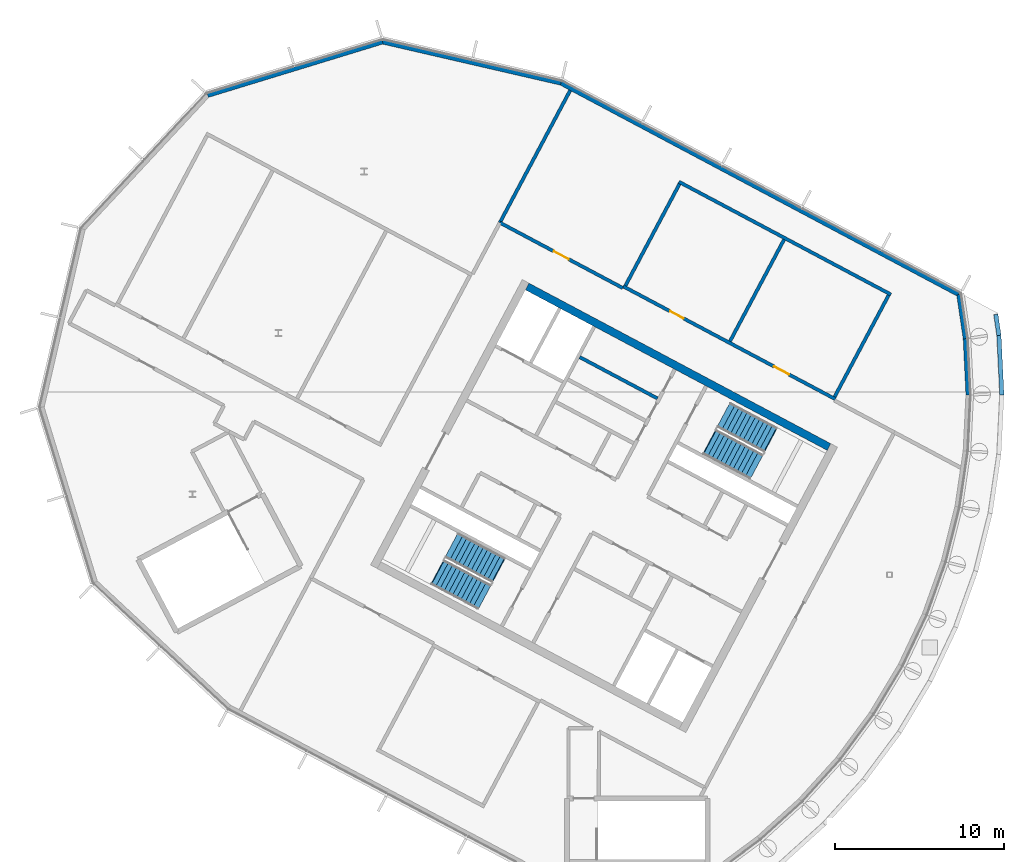
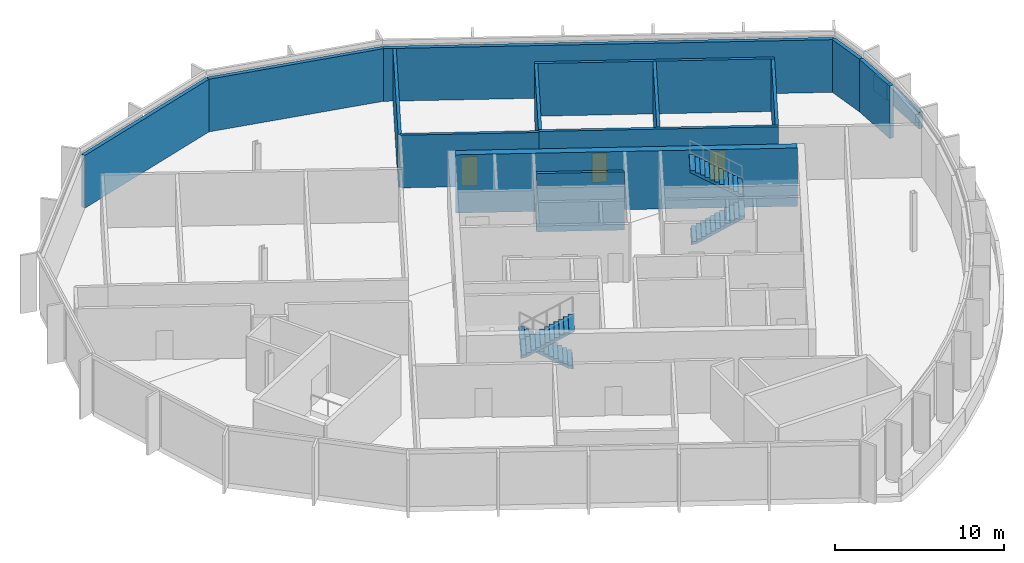
# One storey, part 8 of 13: 16 walls, 4 stair flights, 3 doors, 3 openings, 2 elements without a shape of their own.
"""IFC4 building model written with IfcOpenShell, lengths in metres."""

from ifc_helpers import new_model, si_unit, direction, frame, frame_2d, origin, place, context, subcontext, project, spatial, polyline, rectangle, outline, extrude, material, layer, layer_set, type_object, element, fill, aggregate, save


model = new_model("IFC4")

# Units and contexts
model_context = context("Model", 3, precision=1e-05, world=origin(), true_north=direction((0.0, 1.0)))
body_context = subcontext(model_context, "Body", "Model", "MODEL_VIEW")
ifc_project = project(units=[si_unit("LENGTHUNIT", "METRE"), si_unit("AREAUNIT", "SQUARE_METRE"), si_unit("VOLUMEUNIT", "CUBIC_METRE"), si_unit("PLANEANGLEUNIT", "RADIAN"), si_unit("MASSUNIT", "GRAM", prefix="KILO")], contexts=[model_context])

# Site, building, storey
site_placement = place(None, origin())
site = spatial("IfcSite", under=ifc_project, at=site_placement, CompositionType="ELEMENT")
building_placement = place(site_placement, origin())
building = spatial("IfcBuilding", under=site, at=building_placement, Name="Cormorant Relay Tower", CompositionType="ELEMENT")
storey_placement = place(building_placement, frame((0.0, 0.0, 353.39990234375)))
storey = spatial("IfcBuildingStorey", under=building, at=storey_placement, Name="C7", CompositionType="ELEMENT", Elevation=353.39990234375)

# Walls
ifc_material_1 = material(Name="Concrete 40 MPa", Category="concrete")
ifc_layer_1 = layer(ifc_material_1, 0.199951171875)
ifc_layer_set_1 = layer_set([ifc_layer_1], Name="Core internal wall 200")
wall_type_1 = type_object("IfcWallType", Name="Core internal wall 200", PredefinedType="SOLIDWALL", material=ifc_layer_set_1)
wall_1_placement = place(storey_placement, frame((-24.214599609375, 20.91650390625, 0.0), z_axis=(0.0, 0.0, 1.0), x_axis=(-0.882964314875, 0.469440111896, 0.0)))
element("IfcWall", 1, at=wall_1_placement, inside=storey, type_object=wall_type_1, Name="C7 core A shaft and room wall", PredefinedType="SOLIDWALL", context=body_context, shape_type="SweptSolid", body=[
    extrude(rectangle(XDim=5.2001953125, YDim=0.199951171875, at=frame_2d((2.60009765625, 0.0))), origin(), (0.0, 0.0, 1.0), 4.2001953125),
])
ifc_material_2 = material(Name="Concrete 50 MPa", Category="concrete")
ifc_layer_2 = layer(ifc_material_2, 0.449951171875)
ifc_layer_set_2 = layer_set([ifc_layer_2], Name="Core wall 450")
wall_type_2 = type_object("IfcWallType", Name="Core wall 450", PredefinedType="SHEAR", material=ifc_layer_set_2)
wall_2_placement = place(storey_placement, frame((-14.07568359375, 18.04541015625, 0.0), z_axis=(0.0, 0.0, 1.0), x_axis=(-0.882947755831, 0.46947125628, 0.0)))
element("IfcWall", 2, at=wall_2_placement, inside=storey, type_object=wall_type_2, Name="C7 core A wall", PredefinedType="SHEAR", context=body_context, shape_type="SweptSolid", body=[
    extrude(rectangle(XDim=20.2001953125, YDim=0.449951171875, at=frame_2d((10.10009765625, 0.0))), origin(), (0.0, 0.0, 1.0), 4.2001953125),
])
ifc_material_3 = material(Name="Concrete 30 MPa block wall", Category="concrete")
ifc_layer_3 = layer(ifc_material_3, 0.199951171875)
ifc_layer_set_3 = layer_set([ifc_layer_3], Name="Crown plant room wall 200")
wall_type_3 = type_object("IfcWallType", Name="Crown plant room wall 200", PredefinedType="PARTITIONING", material=ifc_layer_set_3)
wall_3_placement = place(storey_placement, frame((-10.41650390625, 27.057373046875, 0.0), z_axis=(0.0, 0.0, 1.0), x_axis=(-0.882947150019, 0.469472395646, 0.0)))
element("IfcWall", 3, at=wall_3_placement, inside=storey, type_object=wall_type_3, Name="Plant room wall", PredefinedType="PARTITIONING", context=body_context, shape_type="SweptSolid", body=[
    extrude(rectangle(XDim=14.199951171875, YDim=0.199951171875, at=frame_2d((7.10009765625, 0.0))), origin(), (0.0, 0.0, 1.0), 3.7998046875),
])

# Wall, openings, doors
wall_4_placement = place(storey_placement, frame((-13.702880859375, 20.876708984375, 0.0), z_axis=(0.0, 0.0, 1.0), x_axis=(-0.882947150019, 0.469472395646, 0.0)))
wall_4 = element("IfcWall", 4, at=wall_4_placement, inside=storey, type_object=wall_type_3, Name="Plant room wall", PredefinedType="PARTITIONING", context=body_context, shape_type="SweptSolid", body=[
    extrude(rectangle(XDim=14.199951171875, YDim=0.199951171875, at=frame_2d((7.10009765625, 0.0))), origin(), (0.0, 0.0, 1.0), 3.7998046875),
])
opening_1_placement = place(wall_4_placement, frame((3.10009765625, 0.0, 0.0)))
opening_1 = element("IfcOpeningElement", 5, at=opening_1_placement, cuts=wall_4, Name="Opening CRD1-014", PredefinedType="OPENING", context=body_context, shape_type="SweptSolid", body=[
    extrude(rectangle(XDim=1.0, YDim=2.10009765625, at=frame_2d((0.5, 1.050048828125))), frame((0.0, 0.10986328125, 0.0), z_axis=(0.0, -1.0, 0.0), x_axis=(1.0, 0.0, 0.0)), (0.0, 0.0, 1.0), 0.219970703125),
])
opening_2_placement = place(wall_4_placement, frame((10.14990234375, 0.0, 0.0)))
opening_2 = element("IfcOpeningElement", 6, at=opening_2_placement, cuts=wall_4, Name="Opening CRD4-002", PredefinedType="OPENING", context=body_context, shape_type="SweptSolid", body=[
    extrude(rectangle(XDim=0.89990234375, YDim=2.10009765625, at=frame_2d((0.449951171875, 1.050048828125))), frame((0.0, 0.10986328125, 0.0), z_axis=(0.0, -1.0, 0.0), x_axis=(1.0, 0.0, 0.0)), (0.0, 0.0, 1.0), 0.219970703125),
])
ifc_material_4 = material(Name="Galvanised sheet steel ASTM A653 framed door leaf", Category="steel")
door_type_1 = type_object("IfcDoorType", Name="Crown door single 1000", OperationType="SINGLE_SWING_LEFT", PredefinedType="DOOR", material=ifc_material_4)
door_1_placement = place(opening_1_placement, frame((1.0, 0.0, 0.0), z_axis=(0.0, 0.0, 1.0), x_axis=(-1.0, 0.0, 0.0)))
door_1 = element("IfcDoor", 7, at=door_1_placement, inside=storey, type_object=door_type_1, Name="Generator room door", OperationType="SINGLE_SWING_RIGHT", OverallHeight=2.10009765625, OverallWidth=1.0, PredefinedType="DOOR", context=body_context, shape_type="SweptSolid", body=[
    extrude(rectangle(XDim=1.0, YDim=2.10009765625, at=frame_2d((0.5, 1.050048828125))), frame((0.0, 0.02490234375, 0.0), z_axis=(0.0, -1.0, 0.0), x_axis=(1.0, 0.0, 0.0)), (0.0, 0.0, 1.0), 0.050048828125),
])
fill(opening_1, door_1)
ifc_material_5 = material(Name="Galvanised sheet steel ASTM A653 framed door leaf", Category="steel")
door_type_2 = type_object("IfcDoorType", Name="Crown door single 900", OperationType="SINGLE_SWING_LEFT", PredefinedType="DOOR", material=ifc_material_5)
door_2_placement = place(opening_2_placement, frame((0.89990234375, 0.0, 0.0), z_axis=(0.0, 0.0, 1.0), x_axis=(-1.0, 0.0, 0.0)))
door_2 = element("IfcDoor", 8, at=door_2_placement, inside=storey, type_object=door_type_2, Name="Maintenance store door", OperationType="SINGLE_SWING_RIGHT", OverallHeight=2.10009765625, OverallWidth=0.89990234375, PredefinedType="DOOR", context=body_context, shape_type="SweptSolid", body=[
    extrude(rectangle(XDim=0.89990234375, YDim=2.10009765625, at=frame_2d((0.449951171875, 1.050048828125))), frame((0.0, 0.02490234375, 0.0), z_axis=(0.0, -1.0, 0.0), x_axis=(1.0, 0.0, 0.0)), (0.0, 0.0, 1.0), 0.050048828125),
])
fill(opening_2, door_2)

# Walls
for number, where, z_axis, x_axis, name in (
    (9, (-10.5517578125, 27.01611328125, 0.0), (0.0, 0.0, 1.0), (-0.469462324734, -0.882952504756, 0.0), "Plant room wall"),
    (10, (-16.732421875, 30.302490234375, 0.0), (0.0, 0.0, 1.0), (-0.469462324734, -0.882952504756, 0.0), "Plant room wall"),
):
    element("IfcWall", number, at=place(storey_placement, frame(where, z_axis=z_axis, x_axis=x_axis)), inside=storey, type_object=wall_type_3, Name=name, PredefinedType="PARTITIONING", context=body_context, shape_type="SweptSolid", body=[
        extrude(rectangle(XDim=6.800048828125, YDim=0.199951171875, at=frame_2d((3.39990234375, 0.0))), origin(), (0.0, 0.0, 1.0), 3.7998046875),
    ])
wall_5_placement = place(storey_placement, frame((-22.9130859375, 33.588623046875, 0.0), z_axis=(0.0, 0.0, 1.0), x_axis=(-0.469477207229, -0.882944591632, 0.0)))
element("IfcWall", 11, at=wall_5_placement, inside=storey, type_object=wall_type_3, Name="Plant room wall", PredefinedType="PARTITIONING", context=body_context, shape_type="SweptSolid", body=[
    extrude(rectangle(XDim=6.7998046875, YDim=0.199951171875, at=frame_2d((3.39990234375, 0.0))), origin(), (0.0, 0.0, 1.0), 3.7998046875),
])

# Wall, opening, door
wall_6_placement = place(storey_placement, frame((-33.52783203125, 31.3046875, 0.0), z_axis=(0.0, 0.0, 1.0), x_axis=(0.882943382095, -0.469479481996, 0.0)))
wall_6 = element("IfcWall", 12, at=wall_6_placement, inside=storey, type_object=wall_type_3, Name="Plant room wall", PredefinedType="PARTITIONING", context=body_context, shape_type="SweptSolid", body=[
    extrude(rectangle(XDim=8.219970703125, YDim=0.199951171875, at=frame_2d((4.10986328125, 0.0))), origin(), (0.0, 0.0, 1.0), 3.7998046875),
])
opening_3_placement = place(wall_6_placement, frame((3.610107421875, 0.0, 0.0)))
opening_3 = element("IfcOpeningElement", 13, at=opening_3_placement, cuts=wall_6, Name="Opening CRD1-010", PredefinedType="OPENING", context=body_context, shape_type="SweptSolid", body=[
    extrude(rectangle(XDim=1.0, YDim=2.10009765625, at=frame_2d((0.5, 1.050048828125))), frame((0.0, 0.10986328125, 0.0), z_axis=(0.0, -1.0, 0.0), x_axis=(1.0, 0.0, 0.0)), (0.0, 0.0, 1.0), 0.219970703125),
])
door_3_placement = place(opening_3_placement, origin())
door_3 = element("IfcDoor", 14, at=door_3_placement, inside=storey, type_object=door_type_1, Name="Heat exchanger room door", OperationType="SINGLE_SWING_RIGHT", OverallHeight=2.10009765625, OverallWidth=1.0, PredefinedType="DOOR", context=body_context, shape_type="SweptSolid", body=[
    extrude(rectangle(XDim=1.0, YDim=2.10009765625, at=frame_2d((0.5, 1.050048828125))), frame((0.0, 0.02490234375, 0.0), z_axis=(0.0, -1.0, 0.0), x_axis=(1.0, 0.0, 0.0)), (0.0, 0.0, 1.0), 0.050048828125),
])
fill(opening_3, door_3)

# Walls
wall_7_placement = place(storey_placement, frame((-29.3740234375, 39.119140625, 0.0), z_axis=(0.0, 0.0, 1.0), x_axis=(-0.469467804358, -0.88294959124, 0.0)))
element("IfcWall", 15, at=wall_7_placement, inside=storey, type_object=wall_type_3, Name="Plant room wall", PredefinedType="PARTITIONING", context=body_context, shape_type="SweptSolid", body=[
    extrude(rectangle(XDim=8.86962890625, YDim=0.199951171875, at=frame_2d((4.434814453125, 0.0))), origin(), (0.0, 0.0, 1.0), 3.7998046875),
])
ifc_material_6 = material(Name="Bronze cladding on Concrete 30 MPa block wall", Category="concrete")
ifc_layer_4 = layer(ifc_material_6, 0.25)
ifc_layer_set_4 = layer_set([ifc_layer_4], Name="Crown wall 250")
wall_type_4 = type_object("IfcWallType", Name="Crown wall 250", PredefinedType="STANDARD", material=ifc_layer_set_4)
wall_8_placement = place(storey_placement, frame((-50.79248046875, 38.825439453125, 0.0), z_axis=(0.0, 0.0, 1.0), x_axis=(0.95630419349, 0.292373544482, 0.0)))
element("IfcWall", 16, at=wall_8_placement, inside=storey, type_object=wall_type_4, Name="Crown wall C7", PredefinedType="STANDARD", context=body_context, shape_type="SweptSolid", body=[
    extrude(rectangle(XDim=10.8037109375, YDim=0.25, at=frame_2d((5.40185546875, 0.0))), origin(), (0.0, 0.0, 1.0), 3.7998046875),
])
wall_9_placement = place(storey_placement, frame((-40.4609375, 41.984130859375, 0.0), z_axis=(0.0, 0.0, 1.0), x_axis=(0.974369134847, -0.224955082309, 0.0)))
element("IfcWall", 17, at=wall_9_placement, inside=storey, type_object=wall_type_4, Name="Crown wall C7", PredefinedType="STANDARD", context=body_context, shape_type="SweptSolid", body=[
    extrude(rectangle(XDim=10.8203125, YDim=0.25, at=frame_2d((5.41015625, 0.0))), origin(), (0.0, 0.0, 1.0), 3.7998046875),
])
wall_10_placement = place(storey_placement, frame((-29.91796875, 39.550048828125, 0.0), z_axis=(0.0, 0.0, 1.0), x_axis=(0.882948162862, -0.469470490765, 0.0)))
element("IfcWall", 18, at=wall_10_placement, inside=storey, type_object=wall_type_4, Name="Crown wall C7", PredefinedType="STANDARD", context=body_context, shape_type="SweptSolid", body=[
    extrude(rectangle(XDim=26.6279296875, YDim=0.25, at=frame_2d((13.31396484375, 0.0))), origin(), (0.0, 0.0, 1.0), 3.7998046875),
])
wall_11_placement = place(storey_placement, frame((-6.406982421875, 27.049072265625, 0.0), z_axis=(0.0, 0.0, 1.0), x_axis=(0.146706719768, -0.989180033348, 0.0)))
element("IfcWall", 19, at=wall_11_placement, inside=storey, type_object=wall_type_4, Name="Crown wall C7", PredefinedType="STANDARD", context=body_context, shape_type="SweptSolid", body=[
    extrude(rectangle(XDim=2.631103515625, YDim=0.25, at=frame_2d((1.3154296875, 0.0))), origin(), (0.0, 0.0, 1.0), 3.7998046875),
])
wall_12_placement = place(storey_placement, frame((-6.02099609375, 24.446533203125, 0.0), z_axis=(0.0, 0.0, 1.0), x_axis=(0.049058504826, -0.998795906632, 0.0)))
element("IfcWall", 20, at=wall_12_placement, inside=storey, type_object=wall_type_4, Name="Crown wall C7", PredefinedType="STANDARD", context=body_context, shape_type="SweptSolid", body=[
    extrude(rectangle(XDim=3.32421875, YDim=0.25, at=frame_2d((1.662109375, 0.0))), origin(), (0.0, 0.0, 1.0), 3.7998046875),
])
ifc_material_7 = material(Name="Bronze cladding on Concrete 30 MPa block wall", Category="concrete")
ifc_layer_5 = layer(ifc_material_7, 0.25)
ifc_layer_set_5 = layer_set([ifc_layer_5], Name="Parapet 250")
wall_type_5 = type_object("IfcWallType", Name="Parapet 250", PredefinedType="PARAPET", material=ifc_layer_set_5)
wall_13_placement = place(storey_placement, frame((-4.214599609375, 25.88330078125, 0.0), z_axis=(0.0, 0.0, 1.0), x_axis=(0.146760282233, -0.98917208794, 0.0)))
element("IfcWall", 21, at=wall_13_placement, inside=storey, type_object=wall_type_5, Name="Terrace parapet C6", PredefinedType="PARAPET", context=body_context, shape_type="SweptSolid", body=[
    extrude(rectangle(XDim=1.25439453125, YDim=0.25, at=frame_2d((0.627197265625, 0.0))), origin(), (0.0, 0.0, 1.0), 1.2001953125),
])
wall_14_placement = place(storey_placement, frame((-4.030517578125, 24.642578125, 0.0), z_axis=(0.0, 0.0, 1.0), x_axis=(0.049027964051, -0.998797406255, 0.0)))
element("IfcWall", 22, at=wall_14_placement, inside=storey, type_object=wall_type_5, Name="Terrace parapet C6", PredefinedType="PARAPET", context=body_context, shape_type="SweptSolid", body=[
    extrude(rectangle(XDim=3.5205078125, YDim=0.25, at=frame_2d((1.76025390625, 0.0))), origin(), (0.0, 0.0, 1.0), 1.2001953125),
])

# Stair, stair flights
ifc_material_8 = material(Name="Concrete 40 MPa", Category="concrete")
stair_type = type_object("IfcStairType", Name="Exit stair 1500", PredefinedType="HALF_TURN_STAIR", material=ifc_material_8)
stair_1_placement = place(storey_placement, origin())
stair_1 = element("IfcStair", 23, at=stair_1_placement, inside=storey, type_object=stair_type, Name="C7 Stair", PredefinedType="HALF_TURN_STAIR")
ifc_material_9 = material(Name="Concrete 40 MPa", Category="concrete")
stair_flight_type = type_object("IfcStairFlightType", Name="Exit stair flight 1650", PredefinedType="STRAIGHT", material=ifc_material_9)
stair_flight_1_placement = place(storey_placement, frame((-21.114501953125, 18.33349609375, 0.0), z_axis=(0.0, 0.0, 1.0), x_axis=(0.882947592859, -0.469471562786, 0.0)))
stair_flight_1 = element("IfcStairFlight", 24, at=stair_flight_1_placement, type_object=stair_flight_type, Name="A1 flight 1", NumberOfRisers=12, NumberOfTreads=11, PredefinedType="STRAIGHT", RiserHeight=0.175, TreadLength=0.28, context=body_context, shape_type="SweptSolid", body=[
    extrude(outline(polyline([(-0.050048828125, -0.080078125), (-0.050048828125, 0.0), (0.0, 0.0), (0.0, 0.175048828125), (0.280029296875, 0.175048828125), (0.280029296875, 0.35009765625), (0.56005859375, 0.35009765625), (0.56005859375, 0.52490234375), (0.840087890625, 0.52490234375), (0.840087890625, 0.699951171875), (1.1201171875, 0.699951171875), (1.1201171875, 0.875), (1.39990234375, 0.875), (1.39990234375, 1.050048828125), (1.679931640625, 1.050048828125), (1.679931640625, 1.22509765625), (1.9599609375, 1.22509765625), (1.9599609375, 1.39990234375), (2.239990234375, 1.39990234375), (2.239990234375, 1.574951171875), (2.52001953125, 1.574951171875), (2.52001953125, 1.75), (2.800048828125, 1.75), (2.800048828125, 1.925048828125), (3.080078125, 1.925048828125), (3.130126953125, 1.925048828125), (3.130126953125, 1.748291015625), (3.080078125, 1.748291015625), (0.28271484375, 0.0), (-0.050048828125, -0.080078125)])), frame((0.0, 0.824951171875, 0.0), z_axis=(0.0, -1.0, 0.0), x_axis=(1.0, 0.0, 0.0)), (0.0, 0.0, 1.0), 1.64990234375),
])
stair_flight_2_placement = place(storey_placement, frame((-17.5498046875, 18.47705078125, 2.10009765625), z_axis=(0.0, 0.0, 1.0), x_axis=(-0.882947592859, 0.469471562786, 0.0)))
stair_flight_2 = element("IfcStairFlight", 25, at=stair_flight_2_placement, type_object=stair_flight_type, Name="A1 flight 2", NumberOfRisers=12, NumberOfTreads=11, PredefinedType="STRAIGHT", RiserHeight=0.175, TreadLength=0.28, context=body_context, shape_type="SweptSolid", body=[
    extrude(outline(polyline([(-0.050048828125, -0.080078125), (-0.050048828125, 0.0), (0.0, 0.0), (0.0, 0.175048828125), (0.280029296875, 0.175048828125), (0.280029296875, 0.35009765625), (0.56005859375, 0.35009765625), (0.56005859375, 0.52490234375), (0.840087890625, 0.52490234375), (0.840087890625, 0.699951171875), (1.1201171875, 0.699951171875), (1.1201171875, 0.875), (1.39990234375, 0.875), (1.39990234375, 1.050048828125), (1.679931640625, 1.050048828125), (1.679931640625, 1.22509765625), (1.9599609375, 1.22509765625), (1.9599609375, 1.39990234375), (2.239990234375, 1.39990234375), (2.239990234375, 1.574951171875), (2.52001953125, 1.574951171875), (2.52001953125, 1.75), (2.800048828125, 1.75), (2.800048828125, 1.925048828125), (3.080078125, 1.925048828125), (3.130126953125, 1.925048828125), (3.130126953125, 1.748291015625), (3.080078125, 1.748291015625), (0.28271484375, 0.0), (-0.050048828125, -0.080078125)])), frame((0.0, 0.824951171875, 0.0), z_axis=(0.0, -1.0, 0.0), x_axis=(1.0, 0.0, 0.0)), (0.0, 0.0, 1.0), 1.64990234375),
])
aggregate(stair_1, [stair_flight_1, stair_flight_2])

stair_2_placement = place(storey_placement, origin())
stair_2 = element("IfcStair", 26, at=stair_2_placement, inside=storey, type_object=stair_type, Name="C7 Stair", PredefinedType="HALF_TURN_STAIR")
stair_flight_3_placement = place(storey_placement, frame((-33.62841796875, 10.773681640625, 0.0), z_axis=(0.0, 0.0, 1.0), x_axis=(-0.882947592859, 0.469471562786, 0.0)))
stair_flight_3 = element("IfcStairFlight", 27, at=stair_flight_3_placement, type_object=stair_flight_type, Name="A2 flight 1", NumberOfRisers=12, NumberOfTreads=11, PredefinedType="STRAIGHT", RiserHeight=0.175, TreadLength=0.28, context=body_context, shape_type="SweptSolid", body=[
    extrude(outline(polyline([(-0.050048828125, -0.080078125), (-0.050048828125, 0.0), (0.0, 0.0), (0.0, 0.175048828125), (0.280029296875, 0.175048828125), (0.280029296875, 0.35009765625), (0.56005859375, 0.35009765625), (0.56005859375, 0.52490234375), (0.840087890625, 0.52490234375), (0.840087890625, 0.699951171875), (1.1201171875, 0.699951171875), (1.1201171875, 0.875), (1.39990234375, 0.875), (1.39990234375, 1.050048828125), (1.679931640625, 1.050048828125), (1.679931640625, 1.22509765625), (1.9599609375, 1.22509765625), (1.9599609375, 1.39990234375), (2.239990234375, 1.39990234375), (2.239990234375, 1.574951171875), (2.52001953125, 1.574951171875), (2.52001953125, 1.75), (2.800048828125, 1.75), (2.800048828125, 1.925048828125), (3.080078125, 1.925048828125), (3.130126953125, 1.925048828125), (3.130126953125, 1.748291015625), (3.080078125, 1.748291015625), (0.28271484375, 0.0), (-0.050048828125, -0.080078125)])), frame((0.0, 0.824951171875, 0.0), z_axis=(0.0, -1.0, 0.0), x_axis=(1.0, 0.0, 0.0)), (0.0, 0.0, 1.0), 1.64990234375),
])
stair_flight_4_placement = place(storey_placement, frame((-37.19287109375, 10.63037109375, 2.10009765625), z_axis=(0.0, 0.0, 1.0), x_axis=(0.882947592859, -0.469471562786, 0.0)))
stair_flight_4 = element("IfcStairFlight", 28, at=stair_flight_4_placement, type_object=stair_flight_type, Name="A2 flight 2", NumberOfRisers=12, NumberOfTreads=11, PredefinedType="STRAIGHT", RiserHeight=0.175, TreadLength=0.28, context=body_context, shape_type="SweptSolid", body=[
    extrude(outline(polyline([(-0.050048828125, -0.080078125), (-0.050048828125, 0.0), (0.0, 0.0), (0.0, 0.175048828125), (0.280029296875, 0.175048828125), (0.280029296875, 0.35009765625), (0.56005859375, 0.35009765625), (0.56005859375, 0.52490234375), (0.840087890625, 0.52490234375), (0.840087890625, 0.699951171875), (1.1201171875, 0.699951171875), (1.1201171875, 0.875), (1.39990234375, 0.875), (1.39990234375, 1.050048828125), (1.679931640625, 1.050048828125), (1.679931640625, 1.22509765625), (1.9599609375, 1.22509765625), (1.9599609375, 1.39990234375), (2.239990234375, 1.39990234375), (2.239990234375, 1.574951171875), (2.52001953125, 1.574951171875), (2.52001953125, 1.75), (2.800048828125, 1.75), (2.800048828125, 1.925048828125), (3.080078125, 1.925048828125), (3.130126953125, 1.925048828125), (3.130126953125, 1.748291015625), (3.080078125, 1.748291015625), (0.28271484375, 0.0), (-0.050048828125, -0.080078125)])), frame((0.0, 0.824951171875, 0.0), z_axis=(0.0, -1.0, 0.0), x_axis=(1.0, 0.0, 0.0)), (0.0, 0.0, 1.0), 1.64990234375),
])
aggregate(stair_2, [stair_flight_3, stair_flight_4])

save(model, "model.ifc")
